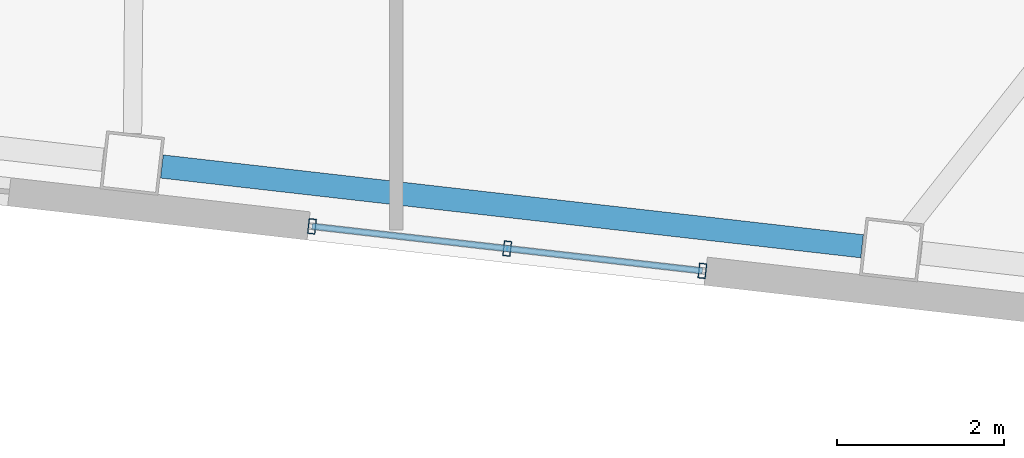
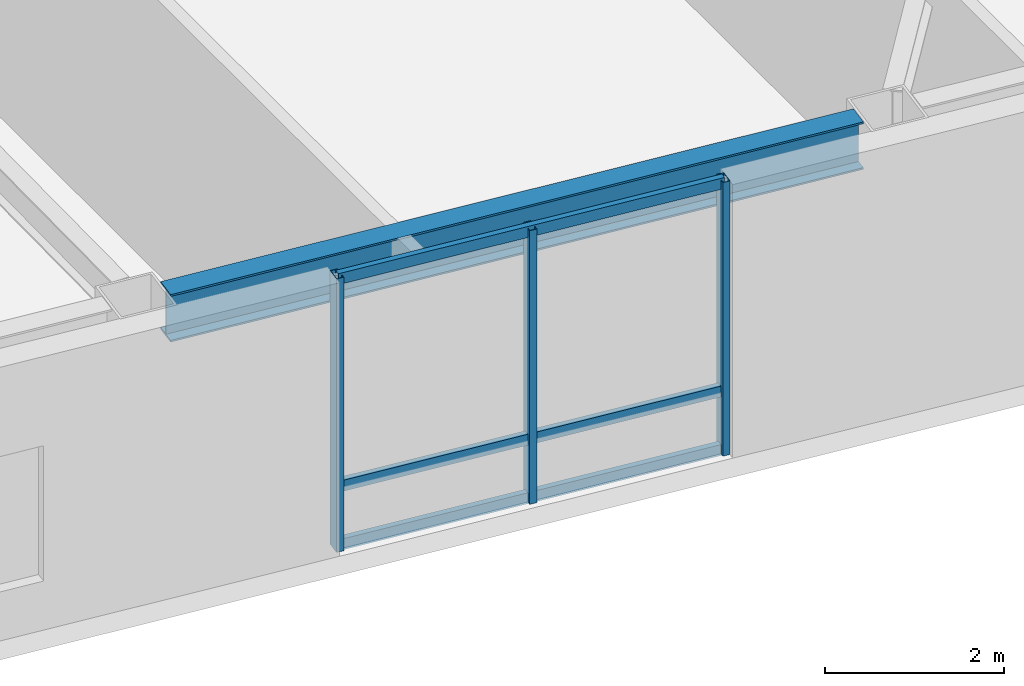
# One storey, part 5 of 22: 6 members, 1 beam, 1 element without a shape of its own.
"""IFC4 building model written with IfcOpenShell, lengths in metres."""

from ifc_helpers import new_model, si_unit, direction, frame, origin, origin_2d, place, context, subcontext, project, spatial, hollow_rectangle, i_section, extrude, material, layer, layer_set, material_profile, profile_set, type_object, element, aggregate, save


model = new_model("IFC4")

# Units and contexts
model_context = context("Model", 3, precision=1e-05, world=origin(), true_north=direction((0.0, 1.0)))
body_context = subcontext(model_context, "Body", "Model", "MODEL_VIEW")
ifc_project = project(units=[si_unit("LENGTHUNIT", "METRE"), si_unit("AREAUNIT", "SQUARE_METRE"), si_unit("VOLUMEUNIT", "CUBIC_METRE"), si_unit("PLANEANGLEUNIT", "RADIAN"), si_unit("MASSUNIT", "GRAM", prefix="KILO")], contexts=[model_context])

# Site, building, storey
site_placement = place(None, origin())
site = spatial("IfcSite", under=ifc_project, at=site_placement, CompositionType="ELEMENT")
building_placement = place(site_placement, origin())
building = spatial("IfcBuilding", under=site, at=building_placement, Name="Tavrogorsk Clinical Tower", CompositionType="ELEMENT")
storey_placement = place(building_placement, frame((0.0, 0.0, 93.39990234375)))
storey = spatial("IfcBuildingStorey", under=building, at=storey_placement, Name="L20", CompositionType="ELEMENT", Elevation=93.39990234375)

# Curtain wall, members
ifc_material_1 = material(Name="Anodised aluminium and triple IGU glazing", Category="aluminium")
ifc_layer = layer(ifc_material_1, 0.179931640625)
ifc_layer_set = layer_set([ifc_layer], Name="Anodised aluminium and triple IGU glazing")
curtain_wall_type = type_object("IfcCurtainWallType", Name="CW3_SouthSlot", PredefinedType="NOTDEFINED", material=ifc_layer_set)
curtain_wall_placement = place(storey_placement, origin())
curtain_wall = element("IfcCurtainWall", 1, at=curtain_wall_placement, inside=storey, type_object=curtain_wall_type, Name="L20 Curtain Wall CW-L20-S-SLOT-2", PredefinedType="NOTDEFINED")
ifc_material_2 = material(Name="Anodised aluminium alloy AW-6060", Category="aluminium")
ifc_material_profile_1 = material_profile(ifc_material_2, hollow_rectangle(XDim=0.090087890625, YDim=0.179931640625, WallThickness=0.00634765625, at=origin_2d()), Name="RHS-180x90x6.3")
ifc_profile_set_1 = profile_set([ifc_material_profile_1], Name="Anodised aluminium alloy AW-6060")
member_type_1 = type_object("IfcMemberType", Name="CwMullion_180x90", PredefinedType="MULLION", material=ifc_profile_set_1)
member_1_placement = place(storey_placement, frame((6.38623046875, -27.04345703125, 0.0), z_axis=(0.0, 0.0, 1.0), x_axis=(0.993571858269, -0.113203191016, 0.0)))
member_1 = element("IfcMember", 2, at=member_1_placement, type_object=member_type_1, Name="CW-L20-S-SLOT-2 Mullion 1", PredefinedType="MULLION", context=body_context, shape_type="SweptSolid", body=[
    extrude(hollow_rectangle(XDim=0.090087890625, YDim=0.179931640625, WallThickness=0.00634765625, at=origin_2d()), origin(), (0.0, 0.0, 1.0), 3.739990234375),
])
member_2_placement = place(storey_placement, frame((8.72998046875, -27.310546875, 0.0), z_axis=(0.0, 0.0, 1.0), x_axis=(0.993571858269, -0.113203191016, 0.0)))
member_2 = element("IfcMember", 3, at=member_2_placement, type_object=member_type_1, Name="CW-L20-S-SLOT-2 Mullion 2", PredefinedType="MULLION", context=body_context, shape_type="SweptSolid", body=[
    extrude(hollow_rectangle(XDim=0.090087890625, YDim=0.179931640625, WallThickness=0.00634765625, at=origin_2d()), origin(), (0.0, 0.0, 1.0), 3.739990234375),
])
member_3_placement = place(storey_placement, frame((11.07373046875, -27.57763671875, 0.0), z_axis=(0.0, 0.0, 1.0), x_axis=(0.993571858269, -0.113203191016, 0.0)))
member_3 = element("IfcMember", 4, at=member_3_placement, type_object=member_type_1, Name="CW-L20-S-SLOT-2 Mullion 3", PredefinedType="MULLION", context=body_context, shape_type="SweptSolid", body=[
    extrude(hollow_rectangle(XDim=0.090087890625, YDim=0.179931640625, WallThickness=0.00634765625, at=origin_2d()), origin(), (0.0, 0.0, 1.0), 3.739990234375),
])
ifc_material_3 = material(Name="Anodised aluminium alloy AW-6060", Category="aluminium")
ifc_material_profile_2 = material_profile(ifc_material_3, hollow_rectangle(XDim=0.074951171875, YDim=0.14990234375, WallThickness=0.0048828125, at=origin_2d()), Name="RHS-150x75x5")
ifc_profile_set_2 = profile_set([ifc_material_profile_2], Name="Anodised aluminium alloy AW-6060")
member_type_2 = type_object("IfcMemberType", Name="CwTransom_150x75", PredefinedType="USERDEFINED", material=ifc_profile_set_2)
member_4_placement = place(storey_placement, frame((6.38623046875, -27.04345703125, 0.050048828125), z_axis=(0.993569315854, -0.113225503286, 0.0), x_axis=(0.113225503286, 0.993569315854, 0.0)))
member_4 = element("IfcMember", 5, at=member_4_placement, type_object=member_type_2, Name="CW-L20-S-SLOT-2 Transom 1", ObjectType="TRANSOM", PredefinedType="USERDEFINED", context=body_context, shape_type="SweptSolid", body=[
    extrude(hollow_rectangle(XDim=0.074951171875, YDim=0.14990234375, WallThickness=0.0048828125, at=origin_2d()), origin(), (0.0, 0.0, 1.0), 4.7177734375),
])
member_5_placement = place(storey_placement, frame((6.38623046875, -27.04345703125, 0.85009765625), z_axis=(0.993569315854, -0.113225503286, 0.0), x_axis=(0.113225503286, 0.993569315854, 0.0)))
member_5 = element("IfcMember", 6, at=member_5_placement, type_object=member_type_2, Name="CW-L20-S-SLOT-2 Transom 2", ObjectType="TRANSOM", PredefinedType="USERDEFINED", context=body_context, shape_type="SweptSolid", body=[
    extrude(hollow_rectangle(XDim=0.074951171875, YDim=0.14990234375, WallThickness=0.0048828125, at=origin_2d()), origin(), (0.0, 0.0, 1.0), 4.7177734375),
])
member_6_placement = place(storey_placement, frame((6.38623046875, -27.04345703125, 3.690185546875), z_axis=(0.993569315854, -0.113225503286, 0.0), x_axis=(0.113225503286, 0.993569315854, 0.0)))
member_6 = element("IfcMember", 7, at=member_6_placement, type_object=member_type_2, Name="CW-L20-S-SLOT-2 Transom 3", ObjectType="TRANSOM", PredefinedType="USERDEFINED", context=body_context, shape_type="SweptSolid", body=[
    extrude(hollow_rectangle(XDim=0.074951171875, YDim=0.14990234375, WallThickness=0.0048828125, at=origin_2d()), origin(), (0.0, 0.0, 1.0), 4.7177734375),
])
aggregate(curtain_wall, [member_1, member_2, member_3, member_4, member_5, member_6])

# Beam
ifc_material_4 = material(Name="Structural steel S390", Category="steel")
ifc_material_profile_3 = material_profile(ifc_material_4, i_section(OverallWidth=0.280029296875, OverallDepth=0.64990234375, WebThickness=0.01611328125, FlangeThickness=0.02490234375, at=origin_2d()), Name="B-650x280x16x25")
ifc_profile_set_3 = profile_set([ifc_material_profile_3], Name="Structural steel S390")
beam_type = type_object("IfcBeamType", Name="SpandrelBeam_B650", PredefinedType="SPANDREL", material=ifc_profile_set_3)
beam_placement = place(storey_placement, frame((4.584228515625, -26.324951171875, 3.4150390625), z_axis=(0.99357306506, -0.113192598642, 0.0), x_axis=(0.113192598642, 0.99357306506, 0.0)))
element("IfcBeam", 8, at=beam_placement, inside=storey, type_object=beam_type, Name="L20 Perimeter Spandrel S5-S6", PredefinedType="SPANDREL", context=body_context, shape_type="SweptSolid", body=[
    extrude(i_section(OverallWidth=0.280029296875, OverallDepth=0.64990234375, WebThickness=0.01611328125, FlangeThickness=0.02490234375, at=origin_2d()), origin(), (0.0, 0.0, 1.0), 8.46142578125),
])

save(model, "model.ifc")
